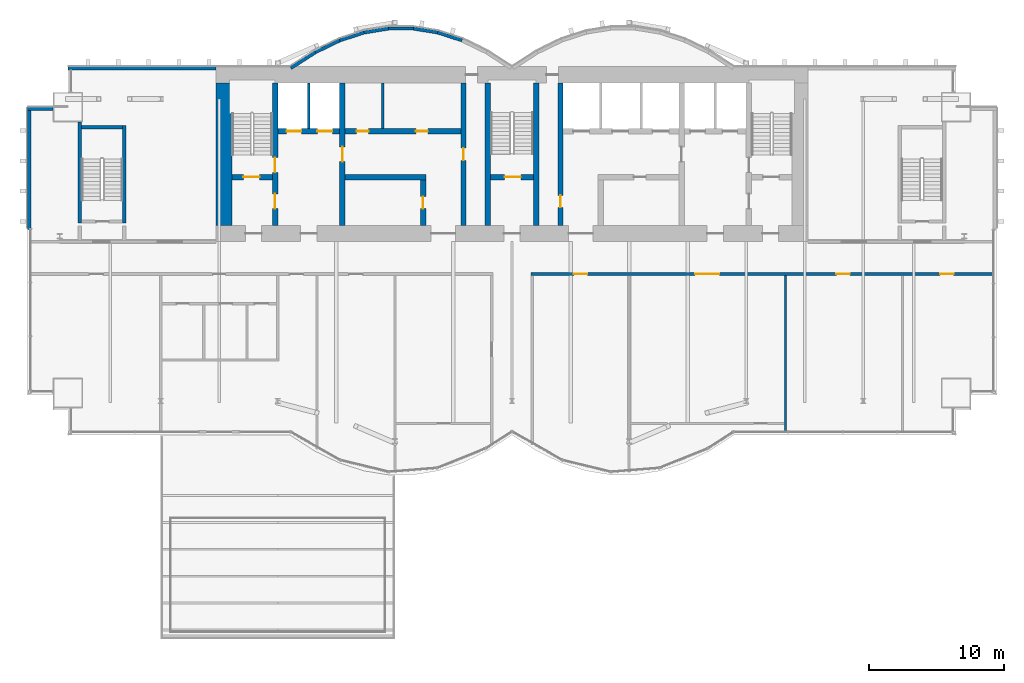
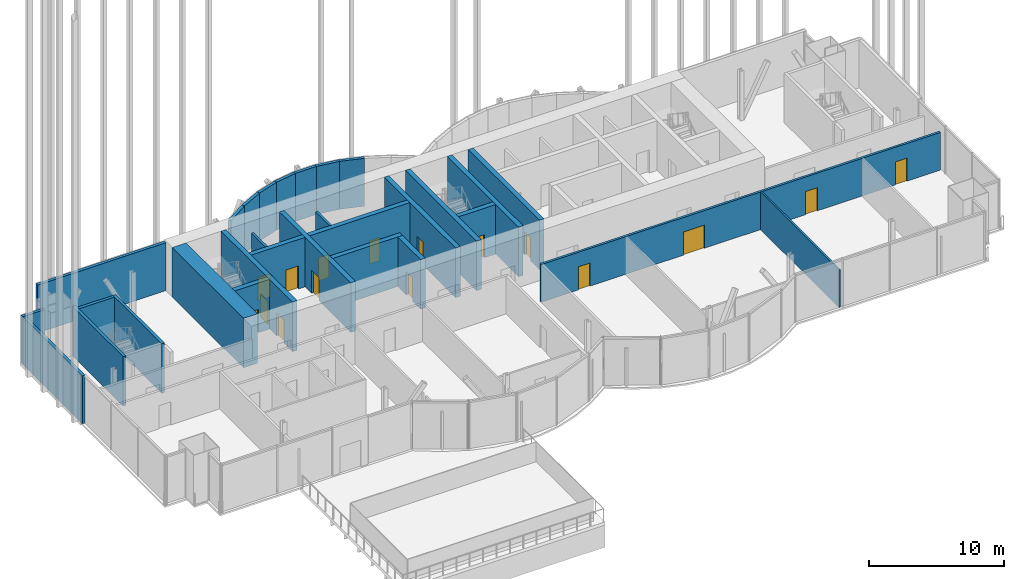
# One storey, part 17 of 22: 29 walls, 16 doors, 16 openings.
"""IFC4 building model written with IfcOpenShell, lengths in metres."""

from ifc_helpers import new_model, si_unit, direction, frame, frame_2d, origin, place, context, subcontext, project, spatial, rectangle, extrude, material, layer, layer_set, layer_usage, type_object, element, fill, save


model = new_model("IFC4")

# Units and contexts
model_context = context("Model", 3, precision=1e-05, world=origin(), true_north=direction((0.0, 1.0)))
body_context = subcontext(model_context, "Body", "Model", "MODEL_VIEW")
ifc_project = project(units=[si_unit("LENGTHUNIT", "METRE"), si_unit("AREAUNIT", "SQUARE_METRE"), si_unit("VOLUMEUNIT", "CUBIC_METRE"), si_unit("PLANEANGLEUNIT", "RADIAN"), si_unit("MASSUNIT", "GRAM", prefix="KILO")], contexts=[model_context])

# Site, building, storey
site_placement = place(None, origin())
site = spatial("IfcSite", under=ifc_project, at=site_placement, CompositionType="ELEMENT")
building_placement = place(site_placement, origin())
building = spatial("IfcBuilding", under=site, at=building_placement, Name="Bicima Exchange Tower", CompositionType="ELEMENT")
storey_placement = place(building_placement, frame((0.0, 0.0, 293.0)))
storey = spatial("IfcBuildingStorey", under=building, at=storey_placement, Name="L66", CompositionType="ELEMENT", Elevation=293.0)

# Wall
ifc_material_1 = material(Name="Gypsum board partition")
ifc_layer_1 = layer(ifc_material_1, 0.199951171875)
ifc_layer_set_1 = layer_set([ifc_layer_1], Name="Gypsum board partition")
wall_type_1 = type_object("IfcWallType", Name="Fire-rated gypsum partition 200 EI120", PredefinedType="PARTITIONING", material=ifc_layer_set_1)
wall_1_placement = place(storey_placement, frame((-15.10009765625, -4.60009765625, 0.0), z_axis=(0.0, 0.0, 1.0), x_axis=(0.0, 1.0, 0.0)))
element("IfcWall", 1, at=wall_1_placement, inside=storey, type_object=wall_type_1, Name="partition wall 9", PredefinedType="PARTITIONING", context=body_context, shape_type="SweptSolid", body=[
    extrude(rectangle(XDim=3.400146484375, YDim=0.199951171875, at=frame_2d((1.7001953125, 0.0))), origin(), (0.0, 0.0, 1.0), 3.418212890625),
])

# Wall, openings, doors
ifc_layer_2 = layer(ifc_material_1, 0.199951171875)
ifc_layer_set_2 = layer_set([ifc_layer_2], Name="Gypsum board partition")
wall_type_2 = type_object("IfcWallType", Name="Fire-rated gypsum partition 200 EI60", PredefinedType="PARTITIONING", material=ifc_layer_set_2)
wall_2_placement = place(storey_placement, frame((1.39990234375, -15.39990234375, 0.0), z_axis=(0.0, 0.0, 1.0), x_axis=(1.0, 0.0, 0.0)))
wall_2 = element("IfcWall", 2, at=wall_2_placement, inside=storey, type_object=wall_type_2, Name="partition wall 7", PredefinedType="PARTITIONING", context=body_context, shape_type="SweptSolid", body=[
    extrude(rectangle(XDim=34.280029296875, YDim=0.199951171875, at=frame_2d((17.14013671875, 0.0))), origin(), (0.0, 0.0, 1.0), 3.418212890625),
])
opening_1_placement = place(wall_2_placement, frame((3.199951171875, 0.0, 0.0)))
opening_1 = element("IfcOpeningElement", 3, at=opening_1_placement, cuts=wall_2, Name="Opening L66-015", PredefinedType="OPENING", context=body_context, shape_type="SweptSolid", body=[
    extrude(rectangle(XDim=1.0, YDim=2.10009765625, at=frame_2d((0.5, 1.050048828125))), frame((0.0, 0.11181640625, 0.0), z_axis=(0.0, -1.0, 0.0), x_axis=(1.0, 0.0, 0.0)), (0.0, 0.0, 1.0), 0.223876953125),
])
opening_2_placement = place(wall_2_placement, frame((12.199951171875, 0.0, 0.0)))
opening_2 = element("IfcOpeningElement", 4, at=opening_2_placement, cuts=wall_2, Name="Opening L66-016", PredefinedType="OPENING", context=body_context, shape_type="SweptSolid", body=[
    extrude(rectangle(XDim=1.800048828125, YDim=2.10009765625, at=frame_2d((0.89990234375, 1.050048828125))), frame((0.0, 0.11181640625, 0.0), z_axis=(0.0, -1.0, 0.0), x_axis=(1.0, 0.0, 0.0)), (0.0, 0.0, 1.0), 0.223876953125),
])
opening_3_placement = place(wall_2_placement, frame((22.699951171875, 0.0, 0.0)))
opening_3 = element("IfcOpeningElement", 5, at=opening_3_placement, cuts=wall_2, Name="Opening L66-017", PredefinedType="OPENING", context=body_context, shape_type="SweptSolid", body=[
    extrude(rectangle(XDim=1.0, YDim=2.10009765625, at=frame_2d((0.5, 1.050048828125))), frame((0.0, 0.11181640625, 0.0), z_axis=(0.0, -1.0, 0.0), x_axis=(1.0, 0.0, 0.0)), (0.0, 0.0, 1.0), 0.223876953125),
])
opening_4_placement = place(wall_2_placement, frame((30.39990234375, 0.0, 0.0)))
opening_4 = element("IfcOpeningElement", 6, at=opening_4_placement, cuts=wall_2, Name="Opening L66-018", PredefinedType="OPENING", context=body_context, shape_type="SweptSolid", body=[
    extrude(rectangle(XDim=1.0, YDim=2.10009765625, at=frame_2d((0.5, 1.050048828125))), frame((0.0, 0.11181640625, 0.0), z_axis=(0.0, -1.0, 0.0), x_axis=(1.0, 0.0, 0.0)), (0.0, 0.0, 1.0), 0.223876953125),
])
ifc_material_2 = material(Name="Steel fire door leaf", Category="steel")
door_type_1 = type_object("IfcDoorType", Name="Door 1000 swing FD30S", OperationType="SINGLE_SWING_LEFT", PredefinedType="DOOR", material=ifc_material_2)
door_1_placement = place(opening_1_placement, frame((1.0, 0.0, 0.0), z_axis=(0.0, 0.0, 1.0), x_axis=(-1.0, 0.0, 0.0)))
door_1 = element("IfcDoor", 7, at=door_1_placement, inside=storey, type_object=door_type_1, Name="Door", OperationType="SINGLE_SWING_RIGHT", OverallHeight=2.10009765625, OverallWidth=1.0, PredefinedType="DOOR", context=body_context, shape_type="SweptSolid", body=[
    extrude(rectangle(XDim=1.0, YDim=2.10009765625, at=frame_2d((0.5, 1.050048828125))), frame((0.0, 0.02490234375, 0.0), z_axis=(0.0, -1.0, 0.0), x_axis=(1.0, 0.0, 0.0)), (0.0, 0.0, 1.0), 0.050048828125),
])
fill(opening_1, door_1)
door_2_placement = place(opening_3_placement, frame((1.0, 0.0, 0.0), z_axis=(0.0, 0.0, 1.0), x_axis=(-1.0, 0.0, 0.0)))
door_2 = element("IfcDoor", 8, at=door_2_placement, inside=storey, type_object=door_type_1, Name="Door", OperationType="SINGLE_SWING_RIGHT", OverallHeight=2.10009765625, OverallWidth=1.0, PredefinedType="DOOR", context=body_context, shape_type="SweptSolid", body=[
    extrude(rectangle(XDim=1.0, YDim=2.10009765625, at=frame_2d((0.5, 1.050048828125))), frame((0.0, 0.02490234375, 0.0), z_axis=(0.0, -1.0, 0.0), x_axis=(1.0, 0.0, 0.0)), (0.0, 0.0, 1.0), 0.050048828125),
])
fill(opening_3, door_2)
door_3_placement = place(opening_4_placement, frame((1.0, 0.0, 0.0), z_axis=(0.0, 0.0, 1.0), x_axis=(-1.0, 0.0, 0.0)))
door_3 = element("IfcDoor", 9, at=door_3_placement, inside=storey, type_object=door_type_1, Name="Door", OperationType="SINGLE_SWING_RIGHT", OverallHeight=2.10009765625, OverallWidth=1.0, PredefinedType="DOOR", context=body_context, shape_type="SweptSolid", body=[
    extrude(rectangle(XDim=1.0, YDim=2.10009765625, at=frame_2d((0.5, 1.050048828125))), frame((0.0, 0.02490234375, 0.0), z_axis=(0.0, -1.0, 0.0), x_axis=(1.0, 0.0, 0.0)), (0.0, 0.0, 1.0), 0.050048828125),
])
fill(opening_4, door_3)
door_type_2 = type_object("IfcDoorType", Name="Door 1800 double swing FD30S", OperationType="DOUBLE_DOOR_SINGLE_SWING", PredefinedType="DOOR", material=ifc_material_2)
door_4_placement = place(opening_2_placement, origin())
door_4 = element("IfcDoor", 10, at=door_4_placement, inside=storey, type_object=door_type_2, Name="Door", OperationType="SINGLE_SWING_LEFT", OverallHeight=2.10009765625, OverallWidth=1.800048828125, PredefinedType="DOOR", context=body_context, shape_type="SweptSolid", body=[
    extrude(rectangle(XDim=1.800048828125, YDim=2.10009765625, at=frame_2d((0.89990234375, 1.050048828125))), frame((0.0, 0.02490234375, 0.0), z_axis=(0.0, -1.0, 0.0), x_axis=(1.0, 0.0, 0.0)), (0.0, 0.0, 1.0), 0.050048828125),
])
fill(opening_2, door_4)

# Walls
wall_3_placement = place(storey_placement, frame((-9.60009765625, -4.60009765625, 0.0), z_axis=(0.0, 0.0, 1.0), x_axis=(0.0, 1.0, 0.0)))
element("IfcWall", 11, at=wall_3_placement, inside=storey, type_object=wall_type_2, Name="partition wall 11", PredefinedType="PARTITIONING", context=body_context, shape_type="SweptSolid", body=[
    extrude(rectangle(XDim=3.400146484375, YDim=0.199951171875, at=frame_2d((1.7001953125, 0.0))), origin(), (0.0, 0.0, 1.0), 3.418212890625),
])
ifc_layer_3 = layer(ifc_material_1, 0.14990234375)
ifc_layer_set_3 = layer_set([ifc_layer_3], Name="Gypsum board partition")
wall_type_3 = type_object("IfcWallType", Name="Gypsum partition 150", PredefinedType="PARTITIONING", material=ifc_layer_set_3)
wall_4_placement = place(storey_placement, frame((20.300048828125, -27.14990234375, 0.0), z_axis=(0.0, 0.0, 1.0), x_axis=(0.0, 1.0, 0.0)))
element("IfcWall", 12, at=wall_4_placement, inside=storey, type_object=wall_type_3, Name="partition wall 28", PredefinedType="PARTITIONING", context=body_context, shape_type="SweptSolid", body=[
    extrude(rectangle(XDim=11.64990234375, YDim=0.14990234375, at=frame_2d((5.824951171875, 0.0))), origin(), (0.0, 0.0, 1.0), 3.418212890625),
])
ifc_material_3 = material(Name="Concrete C40/50", Category="concrete")
ifc_layer_4 = layer(ifc_material_3, 1.199951171875)
ifc_layer_set_4 = layer_set([ifc_layer_4], Name="Concrete C40/50")
wall_type_4 = type_object("IfcWallType", Name="RC core wall 1200 C40/50", PredefinedType="SHEAR", material=ifc_layer_set_4)
wall_5_placement = place(storey_placement, frame((-21.39990234375, -11.800048828125, 0.0), z_axis=(0.0, 0.0, 1.0), x_axis=(0.0, 1.0, 0.0)))
element("IfcWall", 13, at=wall_5_placement, inside=storey, type_object=wall_type_4, Name="Core wall west", PredefinedType="SHEAR", context=body_context, shape_type="SweptSolid", body=[
    extrude(rectangle(XDim=10.60009765625, YDim=1.199951171875, at=frame_2d((5.300048828125, 0.0))), origin(), (0.0, 0.0, 1.0), 4.5),
])
ifc_layer_5 = layer(ifc_material_3, 0.39990234375)
ifc_layer_set_5 = layer_set([ifc_layer_5], Name="Concrete C40/50")
wall_type_5 = type_object("IfcWallType", Name="RC core wall 400 C40/50", PredefinedType="SHEAR", material=ifc_layer_set_5)
wall_6_placement = place(storey_placement, frame((-12.39990234375, -8.199951171875, 0.0), z_axis=(0.0, 0.0, 1.0), x_axis=(1.0, 0.0, 0.0)))
element("IfcWall", 14, at=wall_6_placement, inside=storey, type_object=wall_type_5, Name="shear wall 2", PredefinedType="SHEAR", context=body_context, shape_type="SweptSolid", body=[
    extrude(rectangle(XDim=6.0, YDim=0.39990234375, at=frame_2d((3.0, 0.0))), origin(), (0.0, 0.0, 1.0), 4.5),
])

# Wall, openings, doors
wall_7_placement = place(storey_placement, frame((-17.39990234375, -4.800048828125, 0.0), z_axis=(0.0, 0.0, 1.0), x_axis=(1.0, 0.0, 0.0)))
wall_7 = element("IfcWall", 15, at=wall_7_placement, inside=storey, type_object=wall_type_5, Name="shear wall 6", PredefinedType="SHEAR", context=body_context, shape_type="SweptSolid", body=[
    extrude(rectangle(XDim=13.599853515625, YDim=0.39990234375, at=frame_2d((6.7998046875, 0.0))), origin(), (0.0, 0.0, 1.0), 4.5),
])
opening_5_placement = place(wall_7_placement, frame((0.64990234375, 0.0, 0.0)))
opening_5 = element("IfcOpeningElement", 16, at=opening_5_placement, cuts=wall_7, Name="Opening LD-FF1-L66", PredefinedType="OPENING", context=body_context, shape_type="SweptSolid", body=[
    extrude(rectangle(XDim=1.10009765625, YDim=2.10009765625, at=frame_2d((0.550048828125, 1.050048828125))), frame((0.0, 0.2119140625, 0.0), z_axis=(0.0, -1.0, 0.0), x_axis=(1.0, 0.0, 0.0)), (0.0, 0.0, 1.0), 0.423828125),
])
opening_6_placement = place(wall_7_placement, frame((2.949951171875, 0.0, 0.0)))
opening_6 = element("IfcOpeningElement", 17, at=opening_6_placement, cuts=wall_7, Name="Opening LD-FF3-L66", PredefinedType="OPENING", context=body_context, shape_type="SweptSolid", body=[
    extrude(rectangle(XDim=1.10009765625, YDim=2.10009765625, at=frame_2d((0.550048828125, 1.050048828125))), frame((0.0, 0.2119140625, 0.0), z_axis=(0.0, -1.0, 0.0), x_axis=(1.0, 0.0, 0.0)), (0.0, 0.0, 1.0), 0.423828125),
])
opening_7_placement = place(wall_7_placement, frame((5.85009765625, 0.0, 0.0)))
opening_7 = element("IfcOpeningElement", 18, at=opening_7_placement, cuts=wall_7, Name="Opening L66-C12", PredefinedType="OPENING", context=body_context, shape_type="SweptSolid", body=[
    extrude(rectangle(XDim=0.89990234375, YDim=2.10009765625, at=frame_2d((0.449951171875, 1.050048828125))), frame((0.0, 0.2119140625, 0.0), z_axis=(0.0, -1.0, 0.0), x_axis=(1.0, 0.0, 0.0)), (0.0, 0.0, 1.0), 0.423828125),
])
opening_8_placement = place(wall_7_placement, frame((10.25, 0.0, 0.0)))
opening_8 = element("IfcOpeningElement", 19, at=opening_8_placement, cuts=wall_7, Name="Opening L66-C13", PredefinedType="OPENING", context=body_context, shape_type="SweptSolid", body=[
    extrude(rectangle(XDim=0.89990234375, YDim=2.10009765625, at=frame_2d((0.449951171875, 1.050048828125))), frame((0.0, 0.2119140625, 0.0), z_axis=(0.0, -1.0, 0.0), x_axis=(1.0, 0.0, 0.0)), (0.0, 0.0, 1.0), 0.423828125),
])
door_type_3 = type_object("IfcDoorType", Name="Door 900 swing FD30S", OperationType="SINGLE_SWING_LEFT", PredefinedType="DOOR", material=ifc_material_2)
door_5_placement = place(opening_7_placement, origin())
door_5 = element("IfcDoor", 20, at=door_5_placement, inside=storey, type_object=door_type_3, Name="Core door", OperationType="SINGLE_SWING_RIGHT", OverallHeight=2.10009765625, OverallWidth=0.89990234375, PredefinedType="DOOR", context=body_context, shape_type="SweptSolid", body=[
    extrude(rectangle(XDim=0.89990234375, YDim=2.10009765625, at=frame_2d((0.449951171875, 1.050048828125))), frame((0.0, 0.02490234375, 0.0), z_axis=(0.0, -1.0, 0.0), x_axis=(1.0, 0.0, 0.0)), (0.0, 0.0, 1.0), 0.050048828125),
])
fill(opening_7, door_5)
door_6_placement = place(opening_8_placement, origin())
door_6 = element("IfcDoor", 21, at=door_6_placement, inside=storey, type_object=door_type_3, Name="Core door", OperationType="SINGLE_SWING_LEFT", OverallHeight=2.10009765625, OverallWidth=0.89990234375, PredefinedType="DOOR", context=body_context, shape_type="SweptSolid", body=[
    extrude(rectangle(XDim=0.89990234375, YDim=2.10009765625, at=frame_2d((0.449951171875, 1.050048828125))), frame((0.0, 0.02490234375, 0.0), z_axis=(0.0, -1.0, 0.0), x_axis=(1.0, 0.0, 0.0)), (0.0, 0.0, 1.0), 0.050048828125),
])
fill(opening_8, door_6)
ifc_material_4 = material(Name="Stainless steel", Category="steel")
door_type_4 = type_object("IfcDoorType", Name="Lift landing door 1100 sliding", OperationType="DOUBLE_DOOR_SLIDING", PredefinedType="DOOR", material=ifc_material_4)
door_7_placement = place(opening_5_placement, origin())
door_7 = element("IfcDoor", 22, at=door_7_placement, inside=storey, type_object=door_type_4, Name="Lift landing door FF1", OperationType="DOUBLE_DOOR_SLIDING", OverallHeight=2.10009765625, OverallWidth=1.10009765625, PredefinedType="DOOR", context=body_context, shape_type="SweptSolid", body=[
    extrude(rectangle(XDim=1.10009765625, YDim=2.10009765625, at=frame_2d((0.550048828125, 1.050048828125))), frame((0.0, 0.02490234375, 0.0), z_axis=(0.0, -1.0, 0.0), x_axis=(1.0, 0.0, 0.0)), (0.0, 0.0, 1.0), 0.050048828125),
])
fill(opening_5, door_7)
door_8_placement = place(opening_6_placement, origin())
door_8 = element("IfcDoor", 23, at=door_8_placement, inside=storey, type_object=door_type_4, Name="Lift landing door FF3", OperationType="DOUBLE_DOOR_SLIDING", OverallHeight=2.10009765625, OverallWidth=1.10009765625, PredefinedType="DOOR", context=body_context, shape_type="SweptSolid", body=[
    extrude(rectangle(XDim=1.10009765625, YDim=2.10009765625, at=frame_2d((0.550048828125, 1.050048828125))), frame((0.0, 0.02490234375, 0.0), z_axis=(0.0, -1.0, 0.0), x_axis=(1.0, 0.0, 0.0)), (0.0, 0.0, 1.0), 0.050048828125),
])
fill(opening_6, door_8)

# Wall, opening, door
wall_8_placement = place(storey_placement, frame((-12.60009765625, -11.800048828125, 0.0), z_axis=(0.0, 0.0, 1.0), x_axis=(0.0, 1.0, 0.0)))
wall_8 = element("IfcWall", 24, at=wall_8_placement, inside=storey, type_object=wall_type_5, Name="shear wall 10", PredefinedType="SHEAR", context=body_context, shape_type="SweptSolid", body=[
    extrude(rectangle(XDim=10.60009765625, YDim=0.39990234375, at=frame_2d((5.300048828125, 0.0))), origin(), (0.0, 0.0, 1.0), 4.5),
])
opening_9_placement = place(wall_8_placement, frame((4.75, 0.0, 0.0)))
opening_9 = element("IfcOpeningElement", 25, at=opening_9_placement, cuts=wall_8, Name="Opening L66-C07", PredefinedType="OPENING", context=body_context, shape_type="SweptSolid", body=[
    extrude(rectangle(XDim=1.10009765625, YDim=2.10009765625, at=frame_2d((0.550048828125, 1.050048828125))), frame((0.0, 0.2119140625, 0.0), z_axis=(0.0, -1.0, 0.0), x_axis=(1.0, 0.0, 0.0)), (0.0, 0.0, 1.0), 0.423828125),
])
door_type_5 = type_object("IfcDoorType", Name="Door 1100 swing FD60S", OperationType="SINGLE_SWING_LEFT", PredefinedType="DOOR", material=ifc_material_2)
door_9_placement = place(opening_9_placement, origin())
door_9 = element("IfcDoor", 26, at=door_9_placement, inside=storey, type_object=door_type_5, Name="Core door", OperationType="SINGLE_SWING_LEFT", OverallHeight=2.10009765625, OverallWidth=1.10009765625, PredefinedType="DOOR", context=body_context, shape_type="SweptSolid", body=[
    extrude(rectangle(XDim=1.10009765625, YDim=2.10009765625, at=frame_2d((0.550048828125, 1.050048828125))), frame((0.0, 0.02490234375, 0.0), z_axis=(0.0, -1.0, 0.0), x_axis=(1.0, 0.0, 0.0)), (0.0, 0.0, 1.0), 0.050048828125),
])
fill(opening_9, door_9)

wall_9_placement = place(storey_placement, frame((-6.60009765625, -11.800048828125, 0.0), z_axis=(0.0, 0.0, 1.0), x_axis=(0.0, 1.0, 0.0)))
wall_9 = element("IfcWall", 27, at=wall_9_placement, inside=storey, type_object=wall_type_5, Name="shear wall 12", PredefinedType="SHEAR", context=body_context, shape_type="SweptSolid", body=[
    extrude(rectangle(XDim=3.400146484375, YDim=0.39990234375, at=frame_2d((1.7001953125, 0.0))), origin(), (0.0, 0.0, 1.0), 4.5),
])
opening_10_placement = place(wall_9_placement, frame((1.25, 0.0, 0.0)))
opening_10 = element("IfcOpeningElement", 28, at=opening_10_placement, cuts=wall_9, Name="Opening L66-C14", PredefinedType="OPENING", context=body_context, shape_type="SweptSolid", body=[
    extrude(rectangle(XDim=0.89990234375, YDim=2.10009765625, at=frame_2d((0.449951171875, 1.050048828125))), frame((0.0, 0.2119140625, 0.0), z_axis=(0.0, -1.0, 0.0), x_axis=(1.0, 0.0, 0.0)), (0.0, 0.0, 1.0), 0.423828125),
])
door_10_placement = place(opening_10_placement, origin())
door_10 = element("IfcDoor", 29, at=door_10_placement, inside=storey, type_object=door_type_3, Name="Core door", OperationType="SINGLE_SWING_RIGHT", OverallHeight=2.10009765625, OverallWidth=0.89990234375, PredefinedType="DOOR", context=body_context, shape_type="SweptSolid", body=[
    extrude(rectangle(XDim=0.89990234375, YDim=2.10009765625, at=frame_2d((0.449951171875, 1.050048828125))), frame((0.0, 0.02490234375, 0.0), z_axis=(0.0, -1.0, 0.0), x_axis=(1.0, 0.0, 0.0)), (0.0, 0.0, 1.0), 0.050048828125),
])
fill(opening_10, door_10)

wall_10_placement = place(storey_placement, frame((-3.60009765625, -11.800048828125, 0.0), z_axis=(0.0, 0.0, 1.0), x_axis=(0.0, 1.0, 0.0)))
wall_10 = element("IfcWall", 30, at=wall_10_placement, inside=storey, type_object=wall_type_5, Name="shear wall 13", PredefinedType="SHEAR", context=body_context, shape_type="SweptSolid", body=[
    extrude(rectangle(XDim=10.60009765625, YDim=0.39990234375, at=frame_2d((5.300048828125, 0.0))), origin(), (0.0, 0.0, 1.0), 4.5),
])
opening_11_placement = place(wall_10_placement, frame((4.85009765625, 0.0, 0.0)))
opening_11 = element("IfcOpeningElement", 31, at=opening_11_placement, cuts=wall_10, Name="Opening L66-C10", PredefinedType="OPENING", context=body_context, shape_type="SweptSolid", body=[
    extrude(rectangle(XDim=0.89990234375, YDim=2.10009765625, at=frame_2d((0.449951171875, 1.050048828125))), frame((0.0, 0.2119140625, 0.0), z_axis=(0.0, -1.0, 0.0), x_axis=(1.0, 0.0, 0.0)), (0.0, 0.0, 1.0), 0.423828125),
])
door_11_placement = place(opening_11_placement, frame((0.89990234375, 0.0, 0.0), z_axis=(0.0, 0.0, 1.0), x_axis=(-1.0, 0.0, 0.0)))
door_11 = element("IfcDoor", 32, at=door_11_placement, inside=storey, type_object=door_type_3, Name="Core door", OperationType="SINGLE_SWING_LEFT", OverallHeight=2.10009765625, OverallWidth=0.89990234375, PredefinedType="DOOR", context=body_context, shape_type="SweptSolid", body=[
    extrude(rectangle(XDim=0.89990234375, YDim=2.10009765625, at=frame_2d((0.449951171875, 1.050048828125))), frame((0.0, 0.02490234375, 0.0), z_axis=(0.0, -1.0, 0.0), x_axis=(1.0, 0.0, 0.0)), (0.0, 0.0, 1.0), 0.050048828125),
])
fill(opening_11, door_11)

wall_11_placement = place(storey_placement, frame((3.60009765625, -11.800048828125, 0.0), z_axis=(0.0, 0.0, 1.0), x_axis=(0.0, 1.0, 0.0)))
wall_11 = element("IfcWall", 33, at=wall_11_placement, inside=storey, type_object=wall_type_5, Name="shear wall 16", PredefinedType="SHEAR", context=body_context, shape_type="SweptSolid", body=[
    extrude(rectangle(XDim=10.60009765625, YDim=0.39990234375, at=frame_2d((5.300048828125, 0.0))), origin(), (0.0, 0.0, 1.0), 4.5),
])
opening_12_placement = place(wall_11_placement, frame((1.35009765625, 0.0, 0.0)))
opening_12 = element("IfcOpeningElement", 34, at=opening_12_placement, cuts=wall_11, Name="Opening L66-C11", PredefinedType="OPENING", context=body_context, shape_type="SweptSolid", body=[
    extrude(rectangle(XDim=0.89990234375, YDim=2.10009765625, at=frame_2d((0.449951171875, 1.050048828125))), frame((0.0, 0.2119140625, 0.0), z_axis=(0.0, -1.0, 0.0), x_axis=(1.0, 0.0, 0.0)), (0.0, 0.0, 1.0), 0.423828125),
])
door_12_placement = place(opening_12_placement, origin())
door_12 = element("IfcDoor", 35, at=door_12_placement, inside=storey, type_object=door_type_3, Name="Core door", OperationType="SINGLE_SWING_LEFT", OverallHeight=2.10009765625, OverallWidth=0.89990234375, PredefinedType="DOOR", context=body_context, shape_type="SweptSolid", body=[
    extrude(rectangle(XDim=0.89990234375, YDim=2.10009765625, at=frame_2d((0.449951171875, 1.050048828125))), frame((0.0, 0.02490234375, 0.0), z_axis=(0.0, -1.0, 0.0), x_axis=(1.0, 0.0, 0.0)), (0.0, 0.0, 1.0), 0.050048828125),
])
fill(opening_12, door_12)

ifc_material_5 = material(Name="Concrete C50/60", Category="concrete")
ifc_layer_6 = layer(ifc_material_5, 0.39990234375)
ifc_layer_set_6 = layer_set([ifc_layer_6], Name="Concrete C50/60")
wall_type_6 = type_object("IfcWallType", Name="RC core wall 400 C50/60", PredefinedType="SHEAR", material=ifc_layer_set_6)
wall_12_placement = place(storey_placement, frame((-20.800048828125, -8.199951171875, 0.0), z_axis=(0.0, 0.0, 1.0), x_axis=(1.0, 0.0, 0.0)))
wall_12 = element("IfcWall", 36, at=wall_12_placement, inside=storey, type_object=wall_type_6, Name="stair wall 1", PredefinedType="SHEAR", context=body_context, shape_type="SweptSolid", body=[
    extrude(rectangle(XDim=3.0, YDim=0.39990234375, at=frame_2d((1.5, 0.0))), origin(), (0.0, 0.0, 1.0), 4.5),
])
opening_13_placement = place(wall_12_placement, frame((0.85009765625, 0.0, 0.0)))
opening_13 = element("IfcOpeningElement", 37, at=opening_13_placement, cuts=wall_12, Name="Opening L66-C01", PredefinedType="OPENING", context=body_context, shape_type="SweptSolid", body=[
    extrude(rectangle(XDim=1.199951171875, YDim=2.10009765625, at=frame_2d((0.60009765625, 1.050048828125))), frame((0.0, 0.2119140625, 0.0), z_axis=(0.0, -1.0, 0.0), x_axis=(1.0, 0.0, 0.0)), (0.0, 0.0, 1.0), 0.423828125),
])
door_type_6 = type_object("IfcDoorType", Name="Door 1200 swing FD60S", OperationType="SINGLE_SWING_LEFT", PredefinedType="DOOR", material=ifc_material_2)
door_13_placement = place(opening_13_placement, origin())
door_13 = element("IfcDoor", 38, at=door_13_placement, inside=storey, type_object=door_type_6, Name="Core door", OperationType="SINGLE_SWING_LEFT", OverallHeight=2.10009765625, OverallWidth=1.199951171875, PredefinedType="DOOR", context=body_context, shape_type="SweptSolid", body=[
    extrude(rectangle(XDim=1.199951171875, YDim=2.10009765625, at=frame_2d((0.60009765625, 1.050048828125))), frame((0.0, 0.02490234375, 0.0), z_axis=(0.0, -1.0, 0.0), x_axis=(1.0, 0.0, 0.0)), (0.0, 0.0, 1.0), 0.050048828125),
])
fill(opening_13, door_13)

wall_13_placement = place(storey_placement, frame((-1.60009765625, -8.199951171875, 0.0), z_axis=(0.0, 0.0, 1.0), x_axis=(1.0, 0.0, 0.0)))
wall_13 = element("IfcWall", 39, at=wall_13_placement, inside=storey, type_object=wall_type_6, Name="stair wall 3", PredefinedType="SHEAR", context=body_context, shape_type="SweptSolid", body=[
    extrude(rectangle(XDim=3.2001953125, YDim=0.39990234375, at=frame_2d((1.60009765625, 0.0))), origin(), (0.0, 0.0, 1.0), 4.5),
])
opening_14_placement = place(wall_13_placement, frame((1.050048828125, 0.0, 0.0)))
opening_14 = element("IfcOpeningElement", 40, at=opening_14_placement, cuts=wall_13, Name="Opening L66-C03", PredefinedType="OPENING", context=body_context, shape_type="SweptSolid", body=[
    extrude(rectangle(XDim=1.199951171875, YDim=2.10009765625, at=frame_2d((0.60009765625, 1.050048828125))), frame((0.0, 0.2119140625, 0.0), z_axis=(0.0, -1.0, 0.0), x_axis=(1.0, 0.0, 0.0)), (0.0, 0.0, 1.0), 0.423828125),
])
door_14_placement = place(opening_14_placement, origin())
door_14 = element("IfcDoor", 41, at=door_14_placement, inside=storey, type_object=door_type_6, Name="Core door", OperationType="SINGLE_SWING_LEFT", OverallHeight=2.10009765625, OverallWidth=1.199951171875, PredefinedType="DOOR", context=body_context, shape_type="SweptSolid", body=[
    extrude(rectangle(XDim=1.199951171875, YDim=2.10009765625, at=frame_2d((0.60009765625, 1.050048828125))), frame((0.0, 0.02490234375, 0.0), z_axis=(0.0, -1.0, 0.0), x_axis=(1.0, 0.0, 0.0)), (0.0, 0.0, 1.0), 0.050048828125),
])
fill(opening_14, door_14)

# Wall, openings, doors
wall_14_placement = place(storey_placement, frame((-17.60009765625, -11.800048828125, 0.0), z_axis=(0.0, 0.0, 1.0), x_axis=(0.0, 1.0, 0.0)))
wall_14 = element("IfcWall", 42, at=wall_14_placement, inside=storey, type_object=wall_type_6, Name="stair wall 8", PredefinedType="SHEAR", context=body_context, shape_type="SweptSolid", body=[
    extrude(rectangle(XDim=10.60009765625, YDim=0.39990234375, at=frame_2d((5.300048828125, 0.0))), origin(), (0.0, 0.0, 1.0), 4.5),
])
opening_15_placement = place(wall_14_placement, frame((1.25, 0.0, 0.0)))
opening_15 = element("IfcOpeningElement", 43, at=opening_15_placement, cuts=wall_14, Name="Opening L66-C02", PredefinedType="OPENING", context=body_context, shape_type="SweptSolid", body=[
    extrude(rectangle(XDim=1.10009765625, YDim=2.10009765625, at=frame_2d((0.550048828125, 1.050048828125))), frame((0.0, 0.2119140625, 0.0), z_axis=(0.0, -1.0, 0.0), x_axis=(1.0, 0.0, 0.0)), (0.0, 0.0, 1.0), 0.423828125),
])
opening_16_placement = place(wall_14_placement, frame((3.949951171875, 0.0, 0.0)))
opening_16 = element("IfcOpeningElement", 44, at=opening_16_placement, cuts=wall_14, Name="Opening L66-C06", PredefinedType="OPENING", context=body_context, shape_type="SweptSolid", body=[
    extrude(rectangle(XDim=1.10009765625, YDim=2.10009765625, at=frame_2d((0.550048828125, 1.050048828125))), frame((0.0, 0.2119140625, 0.0), z_axis=(0.0, -1.0, 0.0), x_axis=(1.0, 0.0, 0.0)), (0.0, 0.0, 1.0), 0.423828125),
])
door_15_placement = place(opening_15_placement, frame((1.10009765625, 0.0, 0.0), z_axis=(0.0, 0.0, 1.0), x_axis=(-1.0, 0.0, 0.0)))
door_15 = element("IfcDoor", 45, at=door_15_placement, inside=storey, type_object=door_type_5, Name="Core door", OperationType="SINGLE_SWING_LEFT", OverallHeight=2.10009765625, OverallWidth=1.10009765625, PredefinedType="DOOR", context=body_context, shape_type="SweptSolid", body=[
    extrude(rectangle(XDim=1.10009765625, YDim=2.10009765625, at=frame_2d((0.550048828125, 1.050048828125))), frame((0.0, 0.02490234375, 0.0), z_axis=(0.0, -1.0, 0.0), x_axis=(1.0, 0.0, 0.0)), (0.0, 0.0, 1.0), 0.050048828125),
])
fill(opening_15, door_15)
door_16_placement = place(opening_16_placement, frame((1.10009765625, 0.0, 0.0), z_axis=(0.0, 0.0, 1.0), x_axis=(-1.0, 0.0, 0.0)))
door_16 = element("IfcDoor", 46, at=door_16_placement, inside=storey, type_object=door_type_5, Name="Core door", OperationType="SINGLE_SWING_LEFT", OverallHeight=2.10009765625, OverallWidth=1.10009765625, PredefinedType="DOOR", context=body_context, shape_type="SweptSolid", body=[
    extrude(rectangle(XDim=1.10009765625, YDim=2.10009765625, at=frame_2d((0.550048828125, 1.050048828125))), frame((0.0, 0.02490234375, 0.0), z_axis=(0.0, -1.0, 0.0), x_axis=(1.0, 0.0, 0.0)), (0.0, 0.0, 1.0), 0.050048828125),
])
fill(opening_16, door_16)

# Walls
for number, where, z_axis, x_axis, name in (
    (47, (-1.800048828125, -11.800048828125, 0.0), (0.0, 0.0, 1.0), (0.0, 1.0, 0.0), "stair wall 14"),
    (48, (1.800048828125, -11.800048828125, 0.0), (0.0, 0.0, 1.0), (0.0, 1.0, 0.0), "stair wall 15"),
):
    element("IfcWall", number, at=place(storey_placement, frame(where, z_axis=z_axis, x_axis=x_axis)), inside=storey, type_object=wall_type_6, Name=name, PredefinedType="SHEAR", context=body_context, shape_type="SweptSolid", body=[
        extrude(rectangle(XDim=10.60009765625, YDim=0.39990234375, at=frame_2d((5.300048828125, 0.0))), origin(), (0.0, 0.0, 1.0), 4.5),
    ])
ifc_layer_7 = layer(ifc_material_5, 0.25)
ifc_layer_set_7 = layer_set([ifc_layer_7], Name="Concrete C50/60")
wall_type_7 = type_object("IfcWallType", Name="RC stair enclosure wall 250 C50/60", PredefinedType="SHEAR", material=ifc_layer_set_7)
wall_15_placement = place(storey_placement, frame((-32.10009765625, -11.625, 0.0), z_axis=(0.0, 0.0, 1.0), x_axis=(0.0, 1.0, 0.0)))
element("IfcWall", 49, at=wall_15_placement, inside=storey, type_object=wall_type_7, Name="West end exit stair wall W", PredefinedType="SHEAR", context=body_context, shape_type="SweptSolid", body=[
    extrude(rectangle(XDim=7.52490234375, YDim=0.25, at=frame_2d((3.762451171875, 0.0))), origin(), (0.0, 0.0, 1.0), 4.5),
])
wall_16_placement = place(storey_placement, frame((-28.800048828125, -11.625, 0.0), z_axis=(0.0, 0.0, 1.0), x_axis=(0.0, 1.0, 0.0)))
element("IfcWall", 50, at=wall_16_placement, inside=storey, type_object=wall_type_7, Name="West end exit stair wall E", PredefinedType="SHEAR", context=body_context, shape_type="SweptSolid", body=[
    extrude(rectangle(XDim=7.25, YDim=0.25, at=frame_2d((3.625, 0.0))), origin(), (0.0, 0.0, 1.0), 4.5),
])
wall_17_placement = place(storey_placement, frame((-31.97509765625, -4.5, 0.0), z_axis=(0.0, 0.0, 1.0), x_axis=(1.0, 0.0, 0.0)))
element("IfcWall", 51, at=wall_17_placement, inside=storey, type_object=wall_type_7, Name="West end exit stair wall N", PredefinedType="SHEAR", context=body_context, shape_type="SweptSolid", body=[
    extrude(rectangle(XDim=3.050048828125, YDim=0.25, at=frame_2d((1.52490234375, 0.0))), origin(), (0.0, 0.0, 1.0), 4.5),
])
ifc_layer_8 = layer(ifc_material_3, 0.25)
ifc_layer_set_8 = layer_set([ifc_layer_8], Name="Concrete C40/50")
ifc_layer_usage = layer_usage(ifc_layer_set_8, "AXIS2", "POSITIVE", -0.125)
wall_type_8 = type_object("IfcWallType", Name="Rear backup wall 250", PredefinedType="STANDARD", material=ifc_layer_set_8)
wall_18_placement = place(storey_placement, frame((-3.705078125, 1.955078125, 0.0), z_axis=(0.0, 0.0, 1.0), x_axis=(-0.951495806175, 0.307661714928, 0.0)))
element("IfcWall", 52, at=wall_18_placement, inside=storey, type_object=wall_type_8, material=ifc_layer_usage, Name="Rear backup wall L66 13", PredefinedType="STANDARD", context=body_context, shape_type="SweptSolid", body=[
    extrude(rectangle(XDim=1.9267578125, YDim=0.25, at=frame_2d((0.96337890625, 0.0))), origin(), (0.0, 0.0, 1.0), 4.35009765625),
])
wall_19_placement = place(storey_placement, frame((-5.52001953125, 2.543212890625, 0.0), z_axis=(0.0, 0.0, 1.0), x_axis=(-0.987181718931, 0.159600293885, 0.0)))
element("IfcWall", 53, at=wall_19_placement, inside=storey, type_object=wall_type_8, material=ifc_layer_usage, Name="Rear backup wall L66 14", PredefinedType="STANDARD", context=body_context, shape_type="SweptSolid", body=[
    extrude(rectangle(XDim=1.857177734375, YDim=0.25, at=frame_2d((0.9287109375, 0.0))), origin(), (0.0, 0.0, 1.0), 4.35009765625),
])
wall_20_placement = place(storey_placement, frame((-7.333251953125, 2.837890625, 0.0), z_axis=(0.0, 0.0, 1.0), x_axis=(-1.0, 0.0, 0.0)))
element("IfcWall", 54, at=wall_20_placement, inside=storey, type_object=wall_type_8, material=ifc_layer_usage, Name="Rear backup wall L66 15", PredefinedType="STANDARD", context=body_context, shape_type="SweptSolid", body=[
    extrude(rectangle(XDim=1.83349609375, YDim=0.25, at=frame_2d((0.916748046875, 0.0))), origin(), (0.0, 0.0, 1.0), 4.35009765625),
])
wall_21_placement = place(storey_placement, frame((-9.146728515625, 2.839599609375, 0.0), z_axis=(0.0, 0.0, 1.0), x_axis=(-0.987181718931, -0.159600293885, 0.0)))
element("IfcWall", 55, at=wall_21_placement, inside=storey, type_object=wall_type_8, material=ifc_layer_usage, Name="Rear backup wall L66 16", PredefinedType="STANDARD", context=body_context, shape_type="SweptSolid", body=[
    extrude(rectangle(XDim=1.857177734375, YDim=0.25, at=frame_2d((0.9287109375, 0.0))), origin(), (0.0, 0.0, 1.0), 4.35009765625),
])
wall_22_placement = place(storey_placement, frame((-10.961669921875, 2.5478515625, 0.0), z_axis=(0.0, 0.0, 1.0), x_axis=(-0.951495806175, -0.307661714928, 0.0)))
element("IfcWall", 56, at=wall_22_placement, inside=storey, type_object=wall_type_8, material=ifc_layer_usage, Name="Rear backup wall L66 17", PredefinedType="STANDARD", context=body_context, shape_type="SweptSolid", body=[
    extrude(rectangle(XDim=1.9267578125, YDim=0.25, at=frame_2d((0.96337890625, 0.0))), origin(), (0.0, 0.0, 1.0), 4.35009765625),
])
wall_23_placement = place(storey_placement, frame((-12.77880859375, 1.961669921875, 0.0), z_axis=(0.0, 0.0, 1.0), x_axis=(-0.89982408427, -0.436252928206, 0.0)))
element("IfcWall", 57, at=wall_23_placement, inside=storey, type_object=wall_type_8, material=ifc_layer_usage, Name="Rear backup wall L66 18", PredefinedType="STANDARD", context=body_context, shape_type="SweptSolid", body=[
    extrude(rectangle(XDim=2.03759765625, YDim=0.25, at=frame_2d((1.018798828125, 0.0))), origin(), (0.0, 0.0, 1.0), 4.35009765625),
])
wall_24_placement = place(storey_placement, frame((-14.598876953125, 1.080078125, 0.0), z_axis=(0.0, 0.0, 1.0), x_axis=(-0.83981312244, -0.542875602121, 0.0)))
element("IfcWall", 58, at=wall_24_placement, inside=storey, type_object=wall_type_8, material=ifc_layer_usage, Name="Rear backup wall L66 19", PredefinedType="STANDARD", context=body_context, shape_type="SweptSolid", body=[
    extrude(rectangle(XDim=2.182861328125, YDim=0.25, at=frame_2d((1.09130859375, 0.0))), origin(), (0.0, 0.0, 1.0), 4.35009765625),
])
wall_25_placement = place(storey_placement, frame((-22.0, -0.125, 0.0), z_axis=(0.0, 0.0, 1.0), x_axis=(-1.0, 0.0, 0.0)))
element("IfcWall", 59, at=wall_25_placement, inside=storey, type_object=wall_type_8, material=ifc_layer_usage, Name="Rear backup wall L66 20", PredefinedType="STANDARD", context=body_context, shape_type="SweptSolid", body=[
    extrude(rectangle(XDim=11.0, YDim=0.25, at=frame_2d((5.5, 0.0))), origin(), (0.0, 0.0, 1.0), 4.35009765625),
])
wall_26_placement = place(storey_placement, frame((-34.10009765625, -3.125, 0.0), z_axis=(0.0, 0.0, 1.0), x_axis=(-1.0, 0.0, 0.0)))
element("IfcWall", 60, at=wall_26_placement, inside=storey, type_object=wall_type_8, material=ifc_layer_usage, Name="Rear backup wall L66 22", PredefinedType="STANDARD", context=body_context, shape_type="SweptSolid", body=[
    extrude(rectangle(XDim=1.89990234375, YDim=0.25, at=frame_2d((0.949951171875, 0.0))), origin(), (0.0, 0.0, 1.0), 4.35009765625),
])
wall_27_placement = place(storey_placement, frame((-35.875, -3.0, 0.0), z_axis=(0.0, 0.0, 1.0), x_axis=(0.0, -1.0, 0.0)))
element("IfcWall", 61, at=wall_27_placement, inside=storey, type_object=wall_type_8, material=ifc_layer_usage, Name="Rear backup wall L66 23", PredefinedType="STANDARD", context=body_context, shape_type="SweptSolid", body=[
    extrude(rectangle(XDim=9.090087890625, YDim=0.25, at=frame_2d((4.544921875, 0.0))), origin(), (0.0, 0.0, 1.0), 4.35009765625),
])

save(model, "model.ifc")
